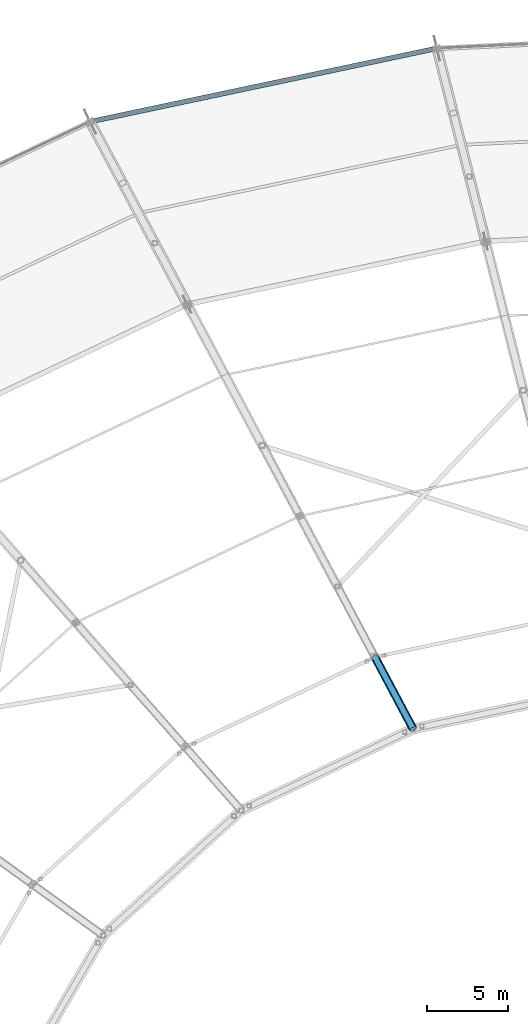
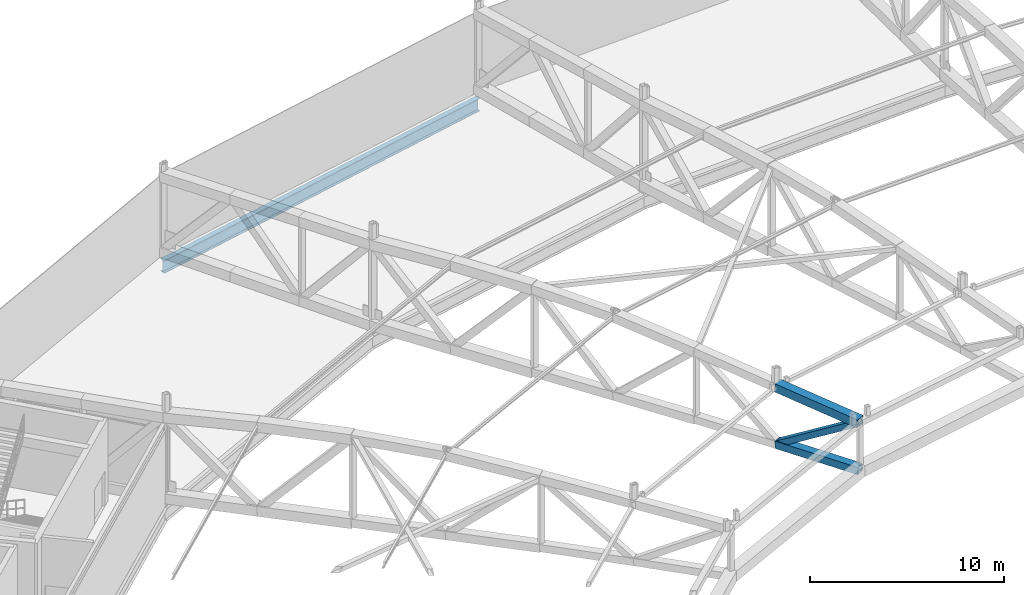
# One storey, part 73 of 162: 3 members, 1 beam.
"""IFC4 building model written with IfcOpenShell, lengths in metres."""

from ifc_helpers import new_model, si_unit, direction, frame, origin, origin_2d, place, context, subcontext, project, spatial, hollow_rectangle, i_section, extrude, material, material_profile, profile_set, type_object, element, save


model = new_model("IFC4")

# Units and contexts
model_context = context("Model", 3, precision=1e-05, world=origin(), true_north=direction((0.0, 1.0)))
body_context = subcontext(model_context, "Body", "Model", "MODEL_VIEW")
ifc_project = project(units=[si_unit("LENGTHUNIT", "METRE"), si_unit("AREAUNIT", "SQUARE_METRE"), si_unit("VOLUMEUNIT", "CUBIC_METRE"), si_unit("PLANEANGLEUNIT", "RADIAN"), si_unit("MASSUNIT", "GRAM", prefix="KILO")], contexts=[model_context])

# Site, building, storey
site_placement = place(None, origin())
site = spatial("IfcSite", under=ifc_project, at=site_placement, CompositionType="ELEMENT")
building_placement = place(site_placement, origin())
building = spatial("IfcBuilding", under=site, at=building_placement, Name="Kazemori Nagisa Stadium", CompositionType="ELEMENT")
storey_placement = place(building_placement, frame((0.0, 0.0, 36.719970703125)))
storey = spatial("IfcBuildingStorey", under=building, at=storey_placement, Name="RF", CompositionType="ELEMENT", Elevation=36.719970703125)

# Beam
ifc_material_1 = material(Name="Steel SN490B", Category="steel")
ifc_material_profile_1 = material_profile(ifc_material_1, i_section(OverallWidth=0.300048828125, OverallDepth=0.800048828125, WebThickness=0.013916015625, FlangeThickness=0.02587890625, FilletRadius=0.01806640625, at=origin_2d()), Name="H-800x300x14x26")
ifc_profile_set_1 = profile_set([ifc_material_profile_1], Name="Steel SN490B")
beam_type = type_object("IfcBeamType", Name="Beam_BG-H800", PredefinedType="BEAM", material=ifc_profile_set_1)
beam_placement = place(storey_placement, frame((101.572265625, 186.98681640625, -0.679931640625), z_axis=(-0.97834587432, -0.206976689994, 0.0), x_axis=(0.206976689994, -0.97834587432, 0.0)))
element("IfcBeam", 1, at=beam_placement, inside=storey, type_object=beam_type, Name="Roof compression ring beam BG-H800 R3-09", PredefinedType="BEAM", context=body_context, shape_type="SweptSolid", body=[
    extrude(i_section(OverallWidth=0.300048828125, OverallDepth=0.800048828125, WebThickness=0.013916015625, FlangeThickness=0.02587890625, FilletRadius=0.01806640625, at=origin_2d()), origin(), (0.0, 0.0, 1.0), 21.85009765625),
])

# Members
ifc_material_2 = material(Name="Steel STKR490", Category="steel")
ifc_material_profile_2 = material_profile(ifc_material_2, hollow_rectangle(XDim=0.360107421875, YDim=0.360107421875, WallThickness=0.013916015625, at=origin_2d()), Name="SHS-360x360x14")
ifc_profile_set_2 = profile_set([ifc_material_profile_2], Name="Steel STKR490")
member_type_1 = type_object("IfcMemberType", Name="Member_TB-SHS360", PredefinedType="BRACE", material=ifc_profile_set_2)
member_1_placement = place(storey_placement, frame((97.7451171875, 149.473876953125, 2.06103515625), z_axis=(0.396619075892, -0.745568183004, 0.535557086715), x_axis=(0.882852625081, 0.469650127636, 0.0)))
element("IfcMember", 2, at=member_1_placement, inside=storey, type_object=member_type_1, Name="Roof space truss diagonal RT-10-9", PredefinedType="BRACE", context=body_context, shape_type="SweptSolid", body=[
    extrude(hollow_rectangle(XDim=0.360107421875, YDim=0.360107421875, WallThickness=0.013916015625, at=origin_2d()), origin(), (0.0, 0.0, 1.0), 5.935791015625),
])
ifc_material_profile_3 = material_profile(ifc_material_2, hollow_rectangle(XDim=0.4599609375, YDim=0.4599609375, WallThickness=0.01611328125, at=origin_2d()), Name="SHS-460x460x16")
ifc_profile_set_3 = profile_set([ifc_material_profile_3], Name="Steel STKR490")
member_type_2 = type_object("IfcMemberType", Name="Member_TC-SHS460", PredefinedType="CHORD", material=ifc_profile_set_3)
member_2_placement = place(storey_placement, frame((97.7451171875, 149.473876953125, 2.06103515625), z_axis=(0.469246307674, -0.882093520606, 0.041459903986), x_axis=(0.882852625081, 0.469650127636, 0.0)))
element("IfcMember", 3, at=member_2_placement, inside=storey, type_object=member_type_2, Name="Roof space truss bottom chord RT-10-9", PredefinedType="CHORD", context=body_context, shape_type="SweptSolid", body=[
    extrude(hollow_rectangle(XDim=0.4599609375, YDim=0.4599609375, WallThickness=0.01611328125, at=origin_2d()), origin(), (0.0, 0.0, 1.0), 5.01708984375),
])
ifc_material_profile_4 = material_profile(ifc_material_2, hollow_rectangle(XDim=0.52001953125, YDim=0.52001953125, WallThickness=0.01904296875, at=origin_2d()), Name="SHS-520x520x19")
ifc_profile_set_4 = profile_set([ifc_material_profile_4], Name="Steel STKR490")
member_type_3 = type_object("IfcMemberType", Name="Member_TC-SHS520", PredefinedType="CHORD", material=ifc_profile_set_4)
member_3_placement = place(storey_placement, frame((97.7451171875, 149.473876953125, 5.662109375), z_axis=(0.467993759984, -0.879738969949, -0.083911771338), x_axis=(0.882852625081, 0.469650127636, 0.0)))
element("IfcMember", 4, at=member_3_placement, inside=storey, type_object=member_type_3, Name="Roof space truss top chord RT-10-9", PredefinedType="CHORD", context=body_context, shape_type="SweptSolid", body=[
    extrude(hollow_rectangle(XDim=0.52001953125, YDim=0.52001953125, WallThickness=0.01904296875, at=origin_2d()), origin(), (0.0, 0.0, 1.0), 5.030517578125),
])

save(model, "model.ifc")
